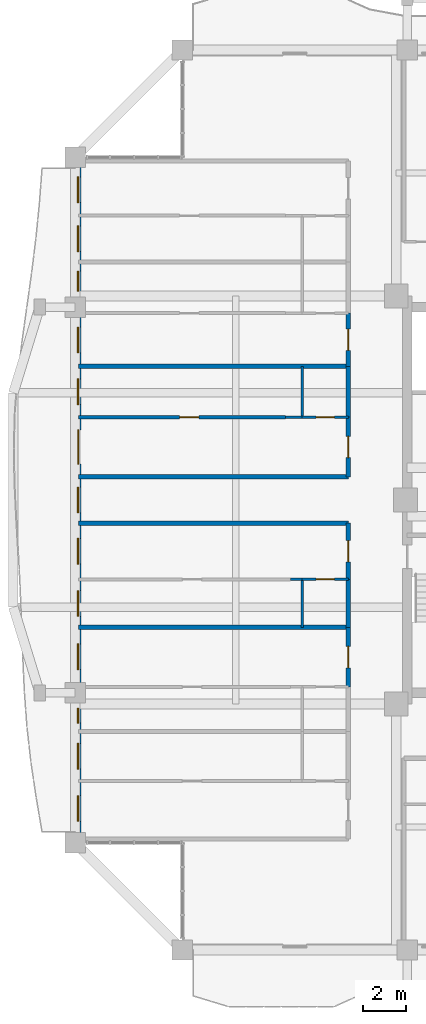
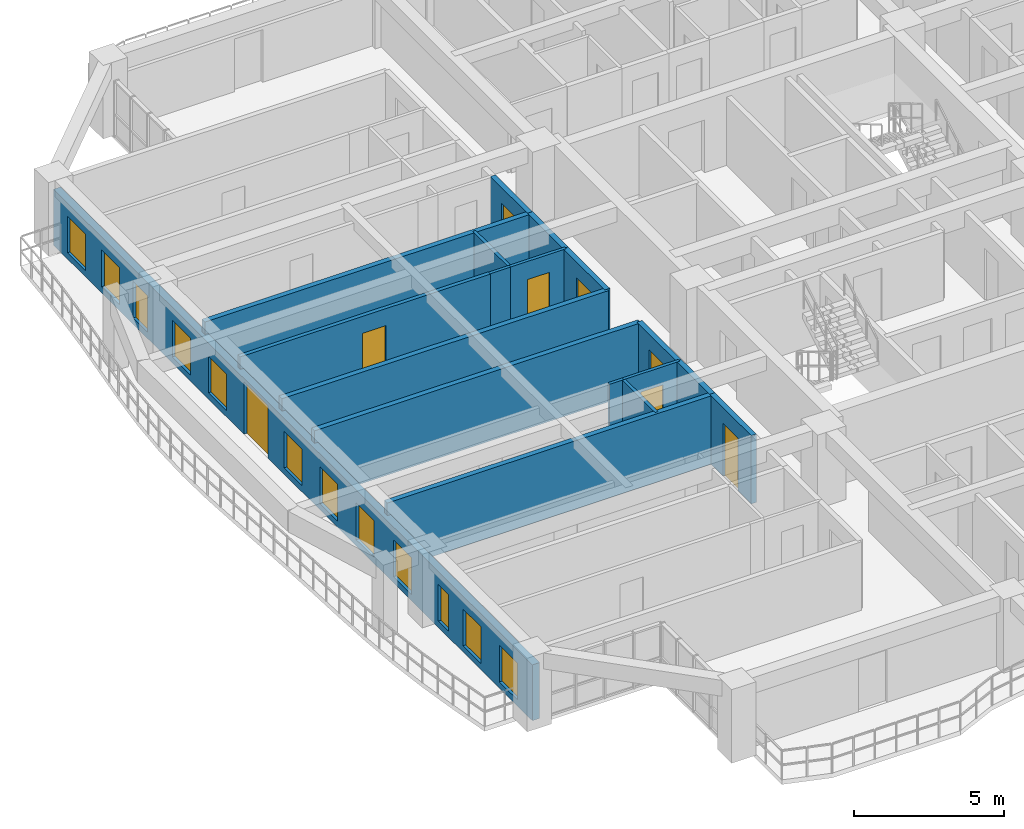
# One storey, part 13 of 24: 18 walls, 12 windows, 8 doors, 20 openings.
"""IFC4 building model written with IfcOpenShell, lengths in metres."""

from ifc_helpers import new_model, si_unit, direction, frame, frame_2d, origin, place, context, subcontext, project, spatial, rectangle, extrude, source, transform, mapped, material, layer, layer_set, type_object, element, fill, save


model = new_model("IFC4")

# Units and contexts
model_context = context("Model", 3, precision=1e-05, world=origin(), true_north=direction((0.0, 1.0)))
body_context = subcontext(model_context, "Body", "Model", "MODEL_VIEW")
ifc_project = project(units=[si_unit("LENGTHUNIT", "METRE"), si_unit("AREAUNIT", "SQUARE_METRE"), si_unit("VOLUMEUNIT", "CUBIC_METRE"), si_unit("PLANEANGLEUNIT", "RADIAN"), si_unit("MASSUNIT", "GRAM", prefix="KILO")], contexts=[model_context])

# Site, building, storey
site_placement = place(None, origin())
site = spatial("IfcSite", under=ifc_project, at=site_placement, CompositionType="ELEMENT")
building_placement = place(site_placement, origin())
building = spatial("IfcBuilding", under=site, at=building_placement, Name="Saelheon Loggia Tower", CompositionType="ELEMENT")
storey_placement = place(building_placement, frame((0.0, 0.0, 166.0)))
storey = spatial("IfcBuildingStorey", under=building, at=storey_placement, Name="L52", CompositionType="ELEMENT", Elevation=166.0)

# Wall, openings, windows, door
ifc_material_1 = material(Name="Architectural Precast Concrete C40/50", Category="concrete")
ifc_layer_1 = layer(ifc_material_1, 0.280029296875)
ifc_layer_set_1 = layer_set([ifc_layer_1], Name="Architectural Precast Concrete C40/50")
wall_type_1 = type_object("IfcWallType", Name="Wall_Ext_Loggia_280", PredefinedType="SOLIDWALL", material=ifc_layer_set_1)
wall_1_placement = place(storey_placement, frame((16.139892578125, 11.0, 0.0), z_axis=(0.0, 0.0, 1.0), x_axis=(0.0, 1.0, 0.0)))
wall_1 = element("IfcWall", 1, at=wall_1_placement, inside=storey, type_object=wall_type_1, Name="L52 West Loggia Inner Wall", PredefinedType="SOLIDWALL", context=body_context, shape_type="SweptSolid", body=[
    extrude(rectangle(XDim=32.0, YDim=0.280029296875, at=frame_2d((16.0, 0.0))), origin(), (0.0, 0.0, 1.0), 2.280029296875),
])
opening_1_placement = place(wall_1_placement, frame((1.000732421875, 0.0, 0.25)))
opening_1 = element("IfcOpeningElement", 2, at=opening_1_placement, cuts=wall_1, Name="Opening WN-03", PredefinedType="OPENING", context=body_context, shape_type="SweptSolid", body=[
    extrude(rectangle(XDim=1.199951171875, YDim=1.5, at=frame_2d((0.60009765625, 0.75))), frame((0.0, 0.152099609375, 0.0), z_axis=(0.0, -1.0, 0.0), x_axis=(1.0, 0.0, 0.0)), (0.0, 0.0, 1.0), 0.303955078125),
])
opening_2_placement = place(wall_1_placement, frame((3.43896484375, 0.0, 0.25)))
opening_2 = element("IfcOpeningElement", 3, at=opening_2_placement, cuts=wall_1, Name="Opening WN-03", PredefinedType="OPENING", context=body_context, shape_type="SweptSolid", body=[
    extrude(rectangle(XDim=1.199951171875, YDim=1.5, at=frame_2d((0.60009765625, 0.75))), frame((0.0, 0.152099609375, 0.0), z_axis=(0.0, -1.0, 0.0), x_axis=(1.0, 0.0, 0.0)), (0.0, 0.0, 1.0), 0.303955078125),
])
opening_3_placement = place(wall_1_placement, frame((5.58837890625, 0.0, 0.25)))
opening_3 = element("IfcOpeningElement", 4, at=opening_3_placement, cuts=wall_1, Name="Opening WN-06", PredefinedType="OPENING", context=body_context, shape_type="SweptSolid", body=[
    extrude(rectangle(XDim=0.699951171875, YDim=1.5, at=frame_2d((0.35009765625, 0.75))), frame((0.0, 0.152099609375, 0.0), z_axis=(0.0, -1.0, 0.0), x_axis=(1.0, 0.0, 0.0)), (0.0, 0.0, 1.0), 0.303955078125),
])
opening_4_placement = place(wall_1_placement, frame((8.08544921875, 0.0, 0.25)))
opening_4 = element("IfcOpeningElement", 5, at=opening_4_placement, cuts=wall_1, Name="Opening WN-03", PredefinedType="OPENING", context=body_context, shape_type="SweptSolid", body=[
    extrude(rectangle(XDim=1.199951171875, YDim=1.5, at=frame_2d((0.60009765625, 0.75))), frame((0.0, 0.152099609375, 0.0), z_axis=(0.0, -1.0, 0.0), x_axis=(1.0, 0.0, 0.0)), (0.0, 0.0, 1.0), 0.303955078125),
])
opening_5_placement = place(wall_1_placement, frame((10.57470703125, 0.0, 0.25)))
opening_5 = element("IfcOpeningElement", 6, at=opening_5_placement, cuts=wall_1, Name="Opening WN-03", PredefinedType="OPENING", context=body_context, shape_type="SweptSolid", body=[
    extrude(rectangle(XDim=1.199951171875, YDim=1.5, at=frame_2d((0.60009765625, 0.75))), frame((0.0, 0.152099609375, 0.0), z_axis=(0.0, -1.0, 0.0), x_axis=(1.0, 0.0, 0.0)), (0.0, 0.0, 1.0), 0.303955078125),
])
opening_6_placement = place(wall_1_placement, frame((13.006591796875, 0.0, 0.25)))
opening_6 = element("IfcOpeningElement", 7, at=opening_6_placement, cuts=wall_1, Name="Opening WN-03", PredefinedType="OPENING", context=body_context, shape_type="SweptSolid", body=[
    extrude(rectangle(XDim=1.199951171875, YDim=1.5, at=frame_2d((0.60009765625, 0.75))), frame((0.0, 0.152099609375, 0.0), z_axis=(0.0, -1.0, 0.0), x_axis=(1.0, 0.0, 0.0)), (0.0, 0.0, 1.0), 0.303955078125),
])
opening_7_placement = place(wall_1_placement, frame((15.39990234375, 0.0, 0.25)))
opening_7 = element("IfcOpeningElement", 8, at=opening_7_placement, cuts=wall_1, Name="Opening WN-03", PredefinedType="OPENING", context=body_context, shape_type="SweptSolid", body=[
    extrude(rectangle(XDim=1.199951171875, YDim=1.5, at=frame_2d((0.60009765625, 0.75))), frame((0.0, 0.152099609375, 0.0), z_axis=(0.0, -1.0, 0.0), x_axis=(1.0, 0.0, 0.0)), (0.0, 0.0, 1.0), 0.303955078125),
])
opening_8_placement = place(wall_1_placement, frame((17.6728515625, 0.0, 0.0)))
opening_8 = element("IfcOpeningElement", 9, at=opening_8_placement, cuts=wall_1, Name="Opening DLG-1", PredefinedType="OPENING", context=body_context, shape_type="SweptSolid", body=[
    extrude(rectangle(XDim=1.60009765625, YDim=2.14990234375, at=frame_2d((0.800048828125, 1.074951171875))), frame((0.0, 0.152099609375, 0.0), z_axis=(0.0, -1.0, 0.0), x_axis=(1.0, 0.0, 0.0)), (0.0, 0.0, 1.0), 0.303955078125),
])
opening_9_placement = place(wall_1_placement, frame((20.452392578125, 0.0, 0.25)))
opening_9 = element("IfcOpeningElement", 10, at=opening_9_placement, cuts=wall_1, Name="Opening WN-03", PredefinedType="OPENING", context=body_context, shape_type="SweptSolid", body=[
    extrude(rectangle(XDim=1.199951171875, YDim=1.5, at=frame_2d((0.60009765625, 0.75))), frame((0.0, 0.152099609375, 0.0), z_axis=(0.0, -1.0, 0.0), x_axis=(1.0, 0.0, 0.0)), (0.0, 0.0, 1.0), 0.303955078125),
])
opening_10_placement = place(wall_1_placement, frame((22.862060546875, 0.0, 0.25)))
opening_10 = element("IfcOpeningElement", 11, at=opening_10_placement, cuts=wall_1, Name="Opening WN-03", PredefinedType="OPENING", context=body_context, shape_type="SweptSolid", body=[
    extrude(rectangle(XDim=1.199951171875, YDim=1.5, at=frame_2d((0.60009765625, 0.75))), frame((0.0, 0.152099609375, 0.0), z_axis=(0.0, -1.0, 0.0), x_axis=(1.0, 0.0, 0.0)), (0.0, 0.0, 1.0), 0.303955078125),
])
opening_11_placement = place(wall_1_placement, frame((25.734130859375, 0.0, 0.25)))
opening_11 = element("IfcOpeningElement", 12, at=opening_11_placement, cuts=wall_1, Name="Opening WN-04", PredefinedType="OPENING", context=body_context, shape_type="SweptSolid", body=[
    extrude(rectangle(XDim=0.949951171875, YDim=1.5, at=frame_2d((0.47509765625, 0.75))), frame((0.0, 0.152099609375, 0.0), z_axis=(0.0, -1.0, 0.0), x_axis=(1.0, 0.0, 0.0)), (0.0, 0.0, 1.0), 0.303955078125),
])
opening_12_placement = place(wall_1_placement, frame((27.587890625, 0.0, 0.25)))
opening_12 = element("IfcOpeningElement", 13, at=opening_12_placement, cuts=wall_1, Name="Opening WN-03", PredefinedType="OPENING", context=body_context, shape_type="SweptSolid", body=[
    extrude(rectangle(XDim=1.199951171875, YDim=1.5, at=frame_2d((0.60009765625, 0.75))), frame((0.0, 0.152099609375, 0.0), z_axis=(0.0, -1.0, 0.0), x_axis=(1.0, 0.0, 0.0)), (0.0, 0.0, 1.0), 0.303955078125),
])
opening_13_placement = place(wall_1_placement, frame((29.87890625, 0.0, 0.25)))
opening_13 = element("IfcOpeningElement", 14, at=opening_13_placement, cuts=wall_1, Name="Opening WN-03", PredefinedType="OPENING", context=body_context, shape_type="SweptSolid", body=[
    extrude(rectangle(XDim=1.199951171875, YDim=1.5, at=frame_2d((0.60009765625, 0.75))), frame((0.0, 0.152099609375, 0.0), z_axis=(0.0, -1.0, 0.0), x_axis=(1.0, 0.0, 0.0)), (0.0, 0.0, 1.0), 0.303955078125),
])
ifc_material_2 = material(Name="Thermal-Break Aluminium and Triple Low-E Glass", Category="aluminium")
window_type_1 = type_object("IfcWindowType", Name="Win_Slot_700x1500", PartitioningType="SINGLE_PANEL", PredefinedType="WINDOW", material=ifc_material_2)
shared_shape_1 = source(origin(), body_context, "Body", "SweptSolid", [
    extrude(rectangle(XDim=0.699951171875, YDim=1.5, at=frame_2d((0.35009765625, 0.75))), frame((0.0, 0.030029296875, 0.0), z_axis=(0.0, -1.0, 0.0), x_axis=(1.0, 0.0, 0.0)), (0.0, 0.0, 1.0), 0.06005859375),
])
window_1_placement = place(opening_3_placement, origin())
window_1 = element("IfcWindow", 15, at=window_1_placement, inside=storey, type_object=window_type_1, Name="L52 W Dwelling Window 3", OverallHeight=1.5, OverallWidth=0.699951171875, PartitioningType="SINGLE_PANEL", PredefinedType="WINDOW", context=body_context, shape_type="MappedRepresentation", body=[
    mapped(shared_shape_1, transform((0.0, 0.0, 0.0), scale=1.0)),
])
fill(opening_3, window_1)
window_type_2 = type_object("IfcWindowType", Name="Win_Bedroom_1200x1500", PartitioningType="SINGLE_PANEL", PredefinedType="WINDOW", material=ifc_material_2)
shared_shape_2 = source(origin(), body_context, "Body", "SweptSolid", [
    extrude(rectangle(XDim=1.199951171875, YDim=1.5, at=frame_2d((0.60009765625, 0.75))), frame((0.0, 0.030029296875, 0.0), z_axis=(0.0, -1.0, 0.0), x_axis=(1.0, 0.0, 0.0)), (0.0, 0.0, 1.0), 0.06005859375),
])
window_2_placement = place(opening_1_placement, origin())
window_2 = element("IfcWindow", 16, at=window_2_placement, inside=storey, type_object=window_type_2, Name="L52 W Dwelling Window 1", OverallHeight=1.5, OverallWidth=1.199951171875, PartitioningType="SINGLE_PANEL", PredefinedType="WINDOW", context=body_context, shape_type="MappedRepresentation", body=[
    mapped(shared_shape_2, transform((0.0, 0.0, 0.0), scale=1.0)),
])
fill(opening_1, window_2)
window_3_placement = place(opening_2_placement, origin())
window_3 = element("IfcWindow", 17, at=window_3_placement, inside=storey, type_object=window_type_2, Name="L52 W Dwelling Window 2", OverallHeight=1.5, OverallWidth=1.199951171875, PartitioningType="SINGLE_PANEL", PredefinedType="WINDOW", context=body_context, shape_type="MappedRepresentation", body=[
    mapped(shared_shape_2, transform((0.0, 0.0, 0.0), scale=1.0)),
])
fill(opening_2, window_3)
window_4_placement = place(opening_4_placement, origin())
window_4 = element("IfcWindow", 18, at=window_4_placement, inside=storey, type_object=window_type_2, Name="L52 W Dwelling Window 4", OverallHeight=1.5, OverallWidth=1.199951171875, PartitioningType="SINGLE_PANEL", PredefinedType="WINDOW", context=body_context, shape_type="MappedRepresentation", body=[
    mapped(shared_shape_2, transform((0.0, 0.0, 0.0), scale=1.0)),
])
fill(opening_4, window_4)
window_5_placement = place(opening_5_placement, origin())
window_5 = element("IfcWindow", 19, at=window_5_placement, inside=storey, type_object=window_type_2, Name="L52 W Dwelling Window 5", OverallHeight=1.5, OverallWidth=1.199951171875, PartitioningType="SINGLE_PANEL", PredefinedType="WINDOW", context=body_context, shape_type="MappedRepresentation", body=[
    mapped(shared_shape_2, transform((0.0, 0.0, 0.0), scale=1.0)),
])
fill(opening_5, window_5)
window_6_placement = place(opening_6_placement, origin())
window_6 = element("IfcWindow", 20, at=window_6_placement, inside=storey, type_object=window_type_2, Name="L52 W Dwelling Window 6", OverallHeight=1.5, OverallWidth=1.199951171875, PartitioningType="SINGLE_PANEL", PredefinedType="WINDOW", context=body_context, shape_type="MappedRepresentation", body=[
    mapped(shared_shape_2, transform((0.0, 0.0, 0.0), scale=1.0)),
])
fill(opening_6, window_6)
window_7_placement = place(opening_7_placement, origin())
window_7 = element("IfcWindow", 21, at=window_7_placement, inside=storey, type_object=window_type_2, Name="L52 W Dwelling Window 7", OverallHeight=1.5, OverallWidth=1.199951171875, PartitioningType="SINGLE_PANEL", PredefinedType="WINDOW", context=body_context, shape_type="MappedRepresentation", body=[
    mapped(shared_shape_2, transform((0.0, 0.0, 0.0), scale=1.0)),
])
fill(opening_7, window_7)
window_8_placement = place(opening_9_placement, origin())
window_8 = element("IfcWindow", 22, at=window_8_placement, inside=storey, type_object=window_type_2, Name="L52 W Dwelling Window 9", OverallHeight=1.5, OverallWidth=1.199951171875, PartitioningType="SINGLE_PANEL", PredefinedType="WINDOW", context=body_context, shape_type="MappedRepresentation", body=[
    mapped(shared_shape_2, transform((0.0, 0.0, 0.0), scale=1.0)),
])
fill(opening_9, window_8)
window_9_placement = place(opening_10_placement, origin())
window_9 = element("IfcWindow", 23, at=window_9_placement, inside=storey, type_object=window_type_2, Name="L52 W Dwelling Window 10", OverallHeight=1.5, OverallWidth=1.199951171875, PartitioningType="SINGLE_PANEL", PredefinedType="WINDOW", context=body_context, shape_type="MappedRepresentation", body=[
    mapped(shared_shape_2, transform((0.0, 0.0, 0.0), scale=1.0)),
])
fill(opening_10, window_9)
window_10_placement = place(opening_12_placement, origin())
window_10 = element("IfcWindow", 24, at=window_10_placement, inside=storey, type_object=window_type_2, Name="L52 W Dwelling Window 12", OverallHeight=1.5, OverallWidth=1.199951171875, PartitioningType="SINGLE_PANEL", PredefinedType="WINDOW", context=body_context, shape_type="MappedRepresentation", body=[
    mapped(shared_shape_2, transform((0.0, 0.0, 0.0), scale=1.0)),
])
fill(opening_12, window_10)
window_11_placement = place(opening_13_placement, origin())
window_11 = element("IfcWindow", 25, at=window_11_placement, inside=storey, type_object=window_type_2, Name="L52 W Dwelling Window 13", OverallHeight=1.5, OverallWidth=1.199951171875, PartitioningType="SINGLE_PANEL", PredefinedType="WINDOW", context=body_context, shape_type="MappedRepresentation", body=[
    mapped(shared_shape_2, transform((0.0, 0.0, 0.0), scale=1.0)),
])
fill(opening_13, window_11)
window_type_3 = type_object("IfcWindowType", Name="Win_Narrow_950x1500", PartitioningType="SINGLE_PANEL", PredefinedType="WINDOW", material=ifc_material_2)
shared_shape_3 = source(origin(), body_context, "Body", "SweptSolid", [
    extrude(rectangle(XDim=0.949951171875, YDim=1.5, at=frame_2d((0.47509765625, 0.75))), frame((0.0, 0.030029296875, 0.0), z_axis=(0.0, -1.0, 0.0), x_axis=(1.0, 0.0, 0.0)), (0.0, 0.0, 1.0), 0.06005859375),
])
window_12_placement = place(opening_11_placement, origin())
window_12 = element("IfcWindow", 26, at=window_12_placement, inside=storey, type_object=window_type_3, Name="L52 W Dwelling Window 11", OverallHeight=1.5, OverallWidth=0.949951171875, PartitioningType="SINGLE_PANEL", PredefinedType="WINDOW", context=body_context, shape_type="MappedRepresentation", body=[
    mapped(shared_shape_3, transform((0.0, 0.0, 0.0), scale=1.0)),
])
fill(opening_11, window_12)
ifc_material_3 = material(Name="Thermal-Break Aluminium Sliding Glazed Door", Category="aluminium")
door_type_1 = type_object("IfcDoorType", Name="Door_LoggiaSlide_1600", OperationType="SLIDING_TO_LEFT", PredefinedType="DOOR", material=ifc_material_3)
shared_shape_4 = source(origin(), body_context, "Body", "SweptSolid", [
    extrude(rectangle(XDim=1.60009765625, YDim=2.14990234375, at=frame_2d((0.800048828125, 1.074951171875))), frame((0.0, 0.02490234375, 0.0), z_axis=(0.0, -1.0, 0.0), x_axis=(1.0, 0.0, 0.0)), (0.0, 0.0, 1.0), 0.050048828125),
])
door_1_placement = place(opening_8_placement, origin())
door_1 = element("IfcDoor", 27, at=door_1_placement, inside=storey, type_object=door_type_1, Name="L52 W Loggia Access Door", OperationType="SLIDING_TO_LEFT", OverallHeight=2.14990234375, OverallWidth=1.60009765625, PredefinedType="DOOR", context=body_context, shape_type="MappedRepresentation", body=[
    mapped(shared_shape_4, transform((0.0, 0.0, 0.0), scale=1.0)),
])
fill(opening_8, door_1)

# Wall, opening, door
ifc_material_4 = material(Name="Lightweight Autoclaved Aerated Concrete Block and Acoustic Gypsum", Category="concrete")
ifc_layer_2 = layer(ifc_material_4, 0.14990234375)
ifc_layer_set_2 = layer_set([ifc_layer_2], Name="Lightweight Autoclaved Aerated Concrete Block and Acoustic Gypsum")
wall_type_2 = type_object("IfcWallType", Name="Wall_Part_150", PredefinedType="PARTITIONING", material=ifc_layer_set_2)
wall_2_placement = place(storey_placement, frame((25.81005859375, 30.865966796875, 0.0), z_axis=(0.0, 0.0, 1.0), x_axis=(-1.0, 0.0, 0.0)))
wall_2 = element("IfcWall", 28, at=wall_2_placement, inside=storey, type_object=wall_type_2, Name="L52 WN Partition U08", PredefinedType="PARTITIONING", context=body_context, shape_type="SweptSolid", body=[
    extrude(rectangle(XDim=9.66015625, YDim=0.14990234375, at=frame_2d((4.830078125, 0.0))), origin(), (0.0, 0.0, 1.0), 2.7900390625),
])
opening_14_placement = place(wall_2_placement, frame((4.034912109375, 0.0, 0.0)))
opening_14 = element("IfcOpeningElement", 29, at=opening_14_placement, cuts=wall_2, Name="Opening D-IN2", PredefinedType="OPENING", context=body_context, shape_type="SweptSolid", body=[
    extrude(rectangle(XDim=0.89990234375, YDim=2.10009765625, at=frame_2d((0.449951171875, 1.050048828125))), frame((0.0, 0.0869140625, 0.0), z_axis=(0.0, -1.0, 0.0), x_axis=(1.0, 0.0, 0.0)), (0.0, 0.0, 1.0), 0.173828125),
])
ifc_material_5 = material(Name="Engineered Oak Flush Door", Category="timber")
door_type_2 = type_object("IfcDoorType", Name="Door_Int_900", OperationType="NOTDEFINED", PredefinedType="DOOR", material=ifc_material_5)
shared_shape_5 = source(origin(), body_context, "Body", "SweptSolid", [
    extrude(rectangle(XDim=0.89990234375, YDim=2.10009765625, at=frame_2d((0.449951171875, 1.050048828125))), frame((0.0, 0.02490234375, 0.0), z_axis=(0.0, -1.0, 0.0), x_axis=(1.0, 0.0, 0.0)), (0.0, 0.0, 1.0), 0.050048828125),
])
door_2_placement = place(opening_14_placement, origin())
door_2 = element("IfcDoor", 30, at=door_2_placement, inside=storey, type_object=door_type_2, Name="Unit U10 Kitchen Door", OperationType="SINGLE_SWING_LEFT", OverallHeight=2.10009765625, OverallWidth=0.89990234375, PredefinedType="DOOR", context=body_context, shape_type="MappedRepresentation", body=[
    mapped(shared_shape_5, transform((0.0, 0.0, 0.0), scale=1.0)),
])
fill(opening_14, door_2)

# Wall
ifc_material_6 = material(Name="Double Acoustic Stud and Fireboard Partition", Category="gypsum")
ifc_layer_3 = layer(ifc_material_6, 0.199951171875)
ifc_layer_set_3 = layer_set([ifc_layer_3], Name="Double Acoustic Stud and Fireboard Partition")
wall_type_3 = type_object("IfcWallType", Name="Wall_Party_200", PredefinedType="PARTITIONING", material=ifc_layer_set_3)
wall_3_placement = place(storey_placement, frame((28.75, 25.919921875, 0.0), z_axis=(0.0, 0.0, 1.0), x_axis=(-1.0, 0.0, 0.0)))
element("IfcWall", 31, at=wall_3_placement, inside=storey, type_object=wall_type_3, Name="L52 WS Partition U02", PredefinedType="PARTITIONING", context=body_context, shape_type="SweptSolid", body=[
    extrude(rectangle(XDim=12.60009765625, YDim=0.199951171875, at=frame_2d((6.300048828125, 0.0))), origin(), (0.0, 0.0, 1.0), 2.7900390625),
])

# Wall, opening, door
wall_4_placement = place(storey_placement, frame((28.75, 18.280029296875, 0.0), z_axis=(0.0, 0.0, 1.0), x_axis=(0.0, 1.0, 0.0)))
wall_4 = element("IfcWall", 32, at=wall_4_placement, inside=storey, type_object=wall_type_3, Name="L52 WS Partition V11", PredefinedType="PARTITIONING", context=body_context, shape_type="SweptSolid", body=[
    extrude(rectangle(XDim=2.77587890625, YDim=0.199951171875, at=frame_2d((1.387939453125, 0.0))), origin(), (0.0, 0.0, 1.0), 2.7900390625),
])
opening_15_placement = place(wall_4_placement, frame((0.887939453125, 0.0, 0.0)))
opening_15 = element("IfcOpeningElement", 33, at=opening_15_placement, cuts=wall_4, Name="Opening D-FD1", PredefinedType="OPENING", context=body_context, shape_type="SweptSolid", body=[
    extrude(rectangle(XDim=1.0, YDim=2.14990234375, at=frame_2d((0.5, 1.074951171875))), frame((0.0, 0.112060546875, 0.0), z_axis=(0.0, -1.0, 0.0), x_axis=(1.0, 0.0, 0.0)), (0.0, 0.0, 1.0), 0.223876953125),
])
ifc_material_7 = material(Name="Fire-Rated Engineered Timber Entrance Door", Category="wood")
door_type_3 = type_object("IfcDoorType", Name="Door_Flat_FD30S", OperationType="NOTDEFINED", PredefinedType="DOOR", material=ifc_material_7)
shared_shape_6 = source(origin(), body_context, "Body", "SweptSolid", [
    extrude(rectangle(XDim=1.0, YDim=2.14990234375, at=frame_2d((0.5, 1.074951171875))), frame((0.0, 0.02490234375, 0.0), z_axis=(0.0, -1.0, 0.0), x_axis=(1.0, 0.0, 0.0)), (0.0, 0.0, 1.0), 0.050048828125),
])
door_3_placement = place(opening_15_placement, origin())
door_3 = element("IfcDoor", 34, at=door_3_placement, inside=storey, type_object=door_type_3, Name="Unit U08 Entrance Door", OperationType="SINGLE_SWING_LEFT", OverallHeight=2.14990234375, OverallWidth=1.0, PredefinedType="DOOR", context=body_context, shape_type="MappedRepresentation", body=[
    mapped(shared_shape_6, transform((0.0, 0.0, 0.0), scale=1.0)),
])
fill(opening_15, door_3)

# Walls
wall_5_placement = place(storey_placement, frame((28.75, 21.055908203125, 0.0), z_axis=(0.0, 0.0, 1.0), x_axis=(-1.0, 0.0, 0.0)))
element("IfcWall", 35, at=wall_5_placement, inside=storey, type_object=wall_type_3, Name="L52 WS Partition U16", PredefinedType="PARTITIONING", context=body_context, shape_type="SweptSolid", body=[
    extrude(rectangle(XDim=12.60009765625, YDim=0.199951171875, at=frame_2d((6.300048828125, 0.0))), origin(), (0.0, 0.0, 1.0), 2.7900390625),
])
wall_6_placement = place(storey_placement, frame((28.75, 21.055908203125, 0.0), z_axis=(0.0, 0.0, 1.0), x_axis=(0.0, 1.0, 0.0)))
element("IfcWall", 36, at=wall_6_placement, inside=storey, type_object=wall_type_3, Name="L52 WS Partition V17", PredefinedType="PARTITIONING", context=body_context, shape_type="SweptSolid", body=[
    extrude(rectangle(XDim=2.2373046875, YDim=0.199951171875, at=frame_2d((1.11865234375, 0.0))), origin(), (0.0, 0.0, 1.0), 2.7900390625),
])

# Wall, opening, door
wall_7_placement = place(storey_placement, frame((28.75, 23.293212890625, 0.0), z_axis=(0.0, 0.0, 1.0), x_axis=(0.0, 1.0, 0.0)))
wall_7 = element("IfcWall", 37, at=wall_7_placement, inside=storey, type_object=wall_type_3, Name="L52 WS Partition V18", PredefinedType="PARTITIONING", context=body_context, shape_type="SweptSolid", body=[
    extrude(rectangle(XDim=2.626708984375, YDim=0.199951171875, at=frame_2d((1.3134765625, 0.0))), origin(), (0.0, 0.0, 1.0), 2.7900390625),
])
opening_16_placement = place(wall_7_placement, frame((0.8134765625, 0.0, 0.0)))
opening_16 = element("IfcOpeningElement", 38, at=opening_16_placement, cuts=wall_7, Name="Opening D-FD1", PredefinedType="OPENING", context=body_context, shape_type="SweptSolid", body=[
    extrude(rectangle(XDim=1.0, YDim=2.14990234375, at=frame_2d((0.5, 1.074951171875))), frame((0.0, 0.112060546875, 0.0), z_axis=(0.0, -1.0, 0.0), x_axis=(1.0, 0.0, 0.0)), (0.0, 0.0, 1.0), 0.223876953125),
])
door_4_placement = place(opening_16_placement, origin())
door_4 = element("IfcDoor", 39, at=door_4_placement, inside=storey, type_object=door_type_3, Name="Unit U09 Entrance Door", OperationType="SINGLE_SWING_RIGHT", OverallHeight=2.14990234375, OverallWidth=1.0, PredefinedType="DOOR", context=body_context, shape_type="MappedRepresentation", body=[
    mapped(shared_shape_6, transform((0.0, 0.0, 0.0), scale=1.0)),
])
fill(opening_16, door_4)

# Wall
wall_8_placement = place(storey_placement, frame((28.75, 28.080078125, 0.0), z_axis=(0.0, 0.0, 1.0), x_axis=(-1.0, 0.0, 0.0)))
element("IfcWall", 40, at=wall_8_placement, inside=storey, type_object=wall_type_3, Name="L52 WN Partition U01", PredefinedType="PARTITIONING", context=body_context, shape_type="SweptSolid", body=[
    extrude(rectangle(XDim=12.60009765625, YDim=0.199951171875, at=frame_2d((6.300048828125, 0.0))), origin(), (0.0, 0.0, 1.0), 2.7900390625),
])

# Wall, opening, door
wall_9_placement = place(storey_placement, frame((28.75, 28.080078125, 0.0), z_axis=(0.0, 0.0, 1.0), x_axis=(0.0, 1.0, 0.0)))
wall_9 = element("IfcWall", 41, at=wall_9_placement, inside=storey, type_object=wall_type_3, Name="L52 WN Partition V03", PredefinedType="PARTITIONING", context=body_context, shape_type="SweptSolid", body=[
    extrude(rectangle(XDim=2.785888671875, YDim=0.199951171875, at=frame_2d((1.39306640625, 0.0))), origin(), (0.0, 0.0, 1.0), 2.7900390625),
])
opening_17_placement = place(wall_9_placement, frame((0.89306640625, 0.0, 0.0)))
opening_17 = element("IfcOpeningElement", 42, at=opening_17_placement, cuts=wall_9, Name="Opening D-FD1", PredefinedType="OPENING", context=body_context, shape_type="SweptSolid", body=[
    extrude(rectangle(XDim=1.0, YDim=2.14990234375, at=frame_2d((0.5, 1.074951171875))), frame((0.0, 0.112060546875, 0.0), z_axis=(0.0, -1.0, 0.0), x_axis=(1.0, 0.0, 0.0)), (0.0, 0.0, 1.0), 0.223876953125),
])
door_5_placement = place(opening_17_placement, origin())
door_5 = element("IfcDoor", 43, at=door_5_placement, inside=storey, type_object=door_type_3, Name="Unit U10 Entrance Door", OperationType="SINGLE_SWING_LEFT", OverallHeight=2.14990234375, OverallWidth=1.0, PredefinedType="DOOR", context=body_context, shape_type="MappedRepresentation", body=[
    mapped(shared_shape_6, transform((0.0, 0.0, 0.0), scale=1.0)),
])
fill(opening_17, door_5)

# Walls
wall_10_placement = place(storey_placement, frame((28.75, 30.865966796875, 0.0), z_axis=(0.0, 0.0, 1.0), x_axis=(0.0, 1.0, 0.0)))
element("IfcWall", 44, at=wall_10_placement, inside=storey, type_object=wall_type_3, Name="L52 WN Partition V04", PredefinedType="PARTITIONING", context=body_context, shape_type="SweptSolid", body=[
    extrude(rectangle(XDim=2.373046875, YDim=0.199951171875, at=frame_2d((1.1865234375, 0.0))), origin(), (0.0, 0.0, 1.0), 2.7900390625),
])
wall_11_placement = place(storey_placement, frame((28.75, 33.239013671875, 0.0), z_axis=(0.0, 0.0, 1.0), x_axis=(-1.0, 0.0, 0.0)))
element("IfcWall", 45, at=wall_11_placement, inside=storey, type_object=wall_type_3, Name="L52 WN Partition U09", PredefinedType="PARTITIONING", context=body_context, shape_type="SweptSolid", body=[
    extrude(rectangle(XDim=12.60009765625, YDim=0.199951171875, at=frame_2d((6.300048828125, 0.0))), origin(), (0.0, 0.0, 1.0), 2.7900390625),
])

# Wall, opening, door
wall_12_placement = place(storey_placement, frame((28.75, 33.239013671875, 0.0), z_axis=(0.0, 0.0, 1.0), x_axis=(0.0, 1.0, 0.0)))
wall_12 = element("IfcWall", 46, at=wall_12_placement, inside=storey, type_object=wall_type_3, Name="L52 WN Partition V10", PredefinedType="PARTITIONING", context=body_context, shape_type="SweptSolid", body=[
    extrude(rectangle(XDim=2.48095703125, YDim=0.199951171875, at=frame_2d((1.240478515625, 0.0))), origin(), (0.0, 0.0, 1.0), 2.7900390625),
])
opening_18_placement = place(wall_12_placement, frame((0.740478515625, 0.0, 0.0)))
opening_18 = element("IfcOpeningElement", 47, at=opening_18_placement, cuts=wall_12, Name="Opening D-FD1", PredefinedType="OPENING", context=body_context, shape_type="SweptSolid", body=[
    extrude(rectangle(XDim=1.0, YDim=2.14990234375, at=frame_2d((0.5, 1.074951171875))), frame((0.0, 0.112060546875, 0.0), z_axis=(0.0, -1.0, 0.0), x_axis=(1.0, 0.0, 0.0)), (0.0, 0.0, 1.0), 0.223876953125),
])
door_6_placement = place(opening_18_placement, origin())
door_6 = element("IfcDoor", 48, at=door_6_placement, inside=storey, type_object=door_type_3, Name="Unit U11 Entrance Door", OperationType="SINGLE_SWING_RIGHT", OverallHeight=2.14990234375, OverallWidth=1.0, PredefinedType="DOOR", context=body_context, shape_type="MappedRepresentation", body=[
    mapped(shared_shape_6, transform((0.0, 0.0, 0.0), scale=1.0)),
])
fill(opening_18, door_6)

ifc_material_8 = material(Name="Moisture-Resistant Cement Board Partition", Category="gypsum")
ifc_layer_4 = layer(ifc_material_8, 0.1201171875)
ifc_layer_set_4 = layer_set([ifc_layer_4], Name="Moisture-Resistant Cement Board Partition")
wall_type_4 = type_object("IfcWallType", Name="Wall_WetPart_120", PredefinedType="PARTITIONING", material=ifc_layer_set_4)
wall_13_placement = place(storey_placement, frame((28.75, 23.293212890625, 0.0), z_axis=(0.0, 0.0, 1.0), x_axis=(-1.0, 0.0, 0.0)))
wall_13 = element("IfcWall", 49, at=wall_13_placement, inside=storey, type_object=wall_type_4, Name="L52 WS Partition U19", PredefinedType="PARTITIONING", context=body_context, shape_type="SweptSolid", body=[
    extrude(rectangle(XDim=2.14990234375, YDim=0.1201171875, at=frame_2d((1.074951171875, 0.0))), origin(), (0.0, 0.0, 1.0), 2.7900390625),
])
opening_19_placement = place(wall_13_placement, frame((0.64990234375, 0.0, 0.0)))
opening_19 = element("IfcOpeningElement", 50, at=opening_19_placement, cuts=wall_13, Name="Opening D-BT1", PredefinedType="OPENING", context=body_context, shape_type="SweptSolid", body=[
    extrude(rectangle(XDim=0.85009765625, YDim=2.050048828125, at=frame_2d((0.425048828125, 1.02490234375))), frame((0.0, 0.072021484375, 0.0), z_axis=(0.0, -1.0, 0.0), x_axis=(1.0, 0.0, 0.0)), (0.0, 0.0, 1.0), 0.14404296875),
])
ifc_material_9 = material(Name="Moisture-Resistant Laminate Timber Door", Category="wood")
door_type_4 = type_object("IfcDoorType", Name="Door_Bath_850", OperationType="NOTDEFINED", PredefinedType="DOOR", material=ifc_material_9)
shared_shape_7 = source(origin(), body_context, "Body", "SweptSolid", [
    extrude(rectangle(XDim=0.85009765625, YDim=2.050048828125, at=frame_2d((0.425048828125, 1.02490234375))), frame((0.0, 0.02490234375, 0.0), z_axis=(0.0, -1.0, 0.0), x_axis=(1.0, 0.0, 0.0)), (0.0, 0.0, 1.0), 0.050048828125),
])
door_7_placement = place(opening_19_placement, origin())
door_7 = element("IfcDoor", 51, at=door_7_placement, inside=storey, type_object=door_type_4, Name="Unit U09 Bathroom Door", OperationType="SINGLE_SWING_LEFT", OverallHeight=2.050048828125, OverallWidth=0.85009765625, PredefinedType="DOOR", context=body_context, shape_type="MappedRepresentation", body=[
    mapped(shared_shape_7, transform((0.0, 0.0, 0.0), scale=1.0)),
])
fill(opening_19, door_7)

# Walls
wall_14_placement = place(storey_placement, frame((26.60009765625, 23.293212890625, 0.0), z_axis=(0.0, 0.0, 1.0), x_axis=(-1.0, 0.0, 0.0)))
element("IfcWall", 52, at=wall_14_placement, inside=storey, type_object=wall_type_4, Name="L52 WS Partition U20", PredefinedType="PARTITIONING", context=body_context, shape_type="SweptSolid", body=[
    extrude(rectangle(XDim=0.550048828125, YDim=0.1201171875, at=frame_2d((0.27490234375, 0.0))), origin(), (0.0, 0.0, 1.0), 2.7900390625),
])
wall_15_placement = place(storey_placement, frame((26.60009765625, 21.055908203125, 0.0), z_axis=(0.0, 0.0, 1.0), x_axis=(0.0, 1.0, 0.0)))
element("IfcWall", 53, at=wall_15_placement, inside=storey, type_object=wall_type_4, Name="L52 WS Partition V21", PredefinedType="PARTITIONING", context=body_context, shape_type="SweptSolid", body=[
    extrude(rectangle(XDim=2.2373046875, YDim=0.1201171875, at=frame_2d((1.11865234375, 0.0))), origin(), (0.0, 0.0, 1.0), 2.7900390625),
])

# Wall, opening, door
wall_16_placement = place(storey_placement, frame((28.75, 30.865966796875, 0.0), z_axis=(0.0, 0.0, 1.0), x_axis=(-1.0, 0.0, 0.0)))
wall_16 = element("IfcWall", 54, at=wall_16_placement, inside=storey, type_object=wall_type_4, Name="L52 WN Partition U05", PredefinedType="PARTITIONING", context=body_context, shape_type="SweptSolid", body=[
    extrude(rectangle(XDim=2.14990234375, YDim=0.1201171875, at=frame_2d((1.074951171875, 0.0))), origin(), (0.0, 0.0, 1.0), 2.7900390625),
])
opening_20_placement = place(wall_16_placement, frame((0.64990234375, 0.0, 0.0)))
opening_20 = element("IfcOpeningElement", 55, at=opening_20_placement, cuts=wall_16, Name="Opening D-BT1", PredefinedType="OPENING", context=body_context, shape_type="SweptSolid", body=[
    extrude(rectangle(XDim=0.85009765625, YDim=2.050048828125, at=frame_2d((0.425048828125, 1.02490234375))), frame((0.0, 0.072021484375, 0.0), z_axis=(0.0, -1.0, 0.0), x_axis=(1.0, 0.0, 0.0)), (0.0, 0.0, 1.0), 0.14404296875),
])
door_8_placement = place(opening_20_placement, origin())
door_8 = element("IfcDoor", 56, at=door_8_placement, inside=storey, type_object=door_type_4, Name="Unit U10 Bathroom Door", OperationType="SINGLE_SWING_RIGHT", OverallHeight=2.050048828125, OverallWidth=0.85009765625, PredefinedType="DOOR", context=body_context, shape_type="MappedRepresentation", body=[
    mapped(shared_shape_7, transform((0.0, 0.0, 0.0), scale=1.0)),
])
fill(opening_20, door_8)

# Walls
wall_17_placement = place(storey_placement, frame((26.60009765625, 30.865966796875, 0.0), z_axis=(0.0, 0.0, 1.0), x_axis=(-1.0, 0.0, 0.0)))
element("IfcWall", 57, at=wall_17_placement, inside=storey, type_object=wall_type_4, Name="L52 WN Partition U06", PredefinedType="PARTITIONING", context=body_context, shape_type="SweptSolid", body=[
    extrude(rectangle(XDim=0.7900390625, YDim=0.1201171875, at=frame_2d((0.39501953125, 0.0))), origin(), (0.0, 0.0, 1.0), 2.7900390625),
])
wall_18_placement = place(storey_placement, frame((26.60009765625, 30.865966796875, 0.0), z_axis=(0.0, 0.0, 1.0), x_axis=(0.0, 1.0, 0.0)))
element("IfcWall", 58, at=wall_18_placement, inside=storey, type_object=wall_type_4, Name="L52 WN Partition V07", PredefinedType="PARTITIONING", context=body_context, shape_type="SweptSolid", body=[
    extrude(rectangle(XDim=2.373046875, YDim=0.1201171875, at=frame_2d((1.1865234375, 0.0))), origin(), (0.0, 0.0, 1.0), 2.7900390625),
])

save(model, "model.ifc")
